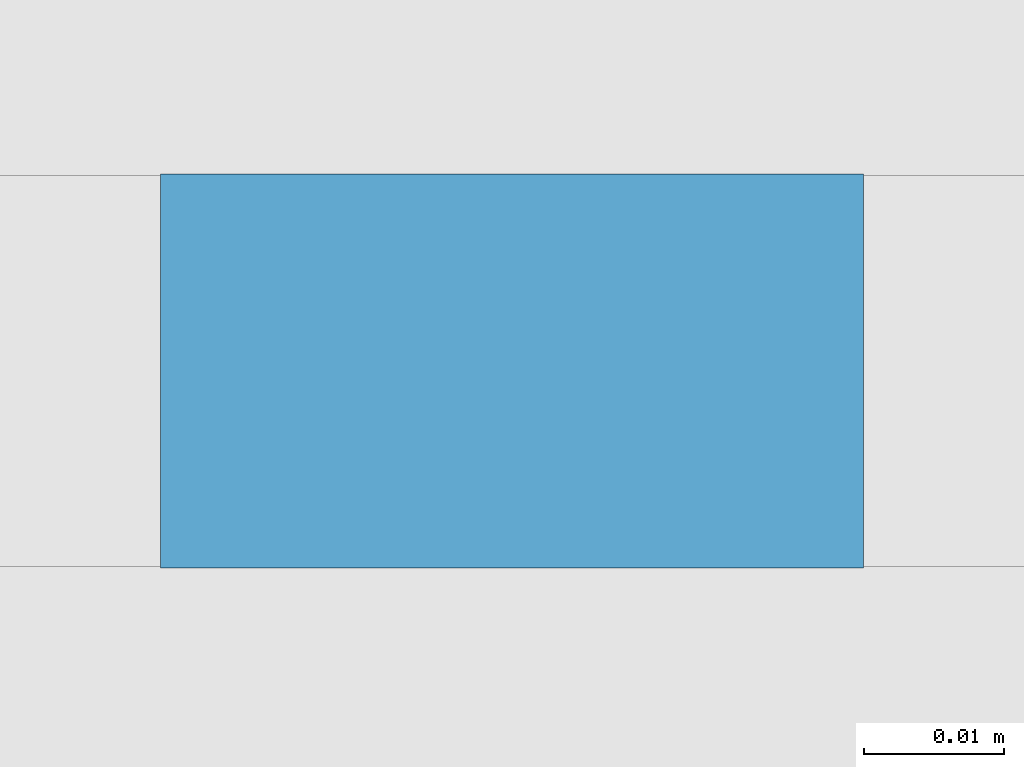
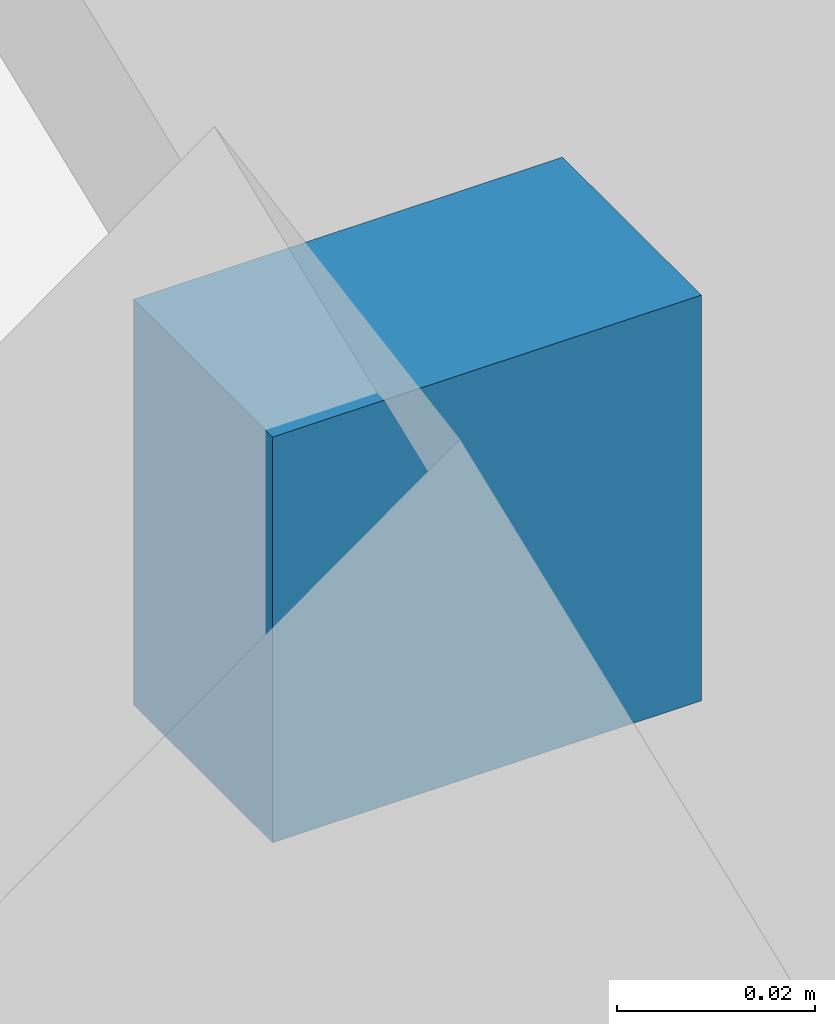
# One storey, part 15 of 18: 1 discrete accessory, 1 element without a shape of its own.
"""IFC4 building model written with IfcOpenShell, lengths in metres."""

from ifc_helpers import new_model, si_unit, direction, frame, origin, origin_2d, place, context, subcontext, project, spatial, rectangle, extrude, material, type_object, element, aggregate, save


model = new_model("IFC4")

# Units and contexts
model_context = context("Model", 3, precision=1e-05, world=origin(), true_north=direction((0.0, 1.0)))
body_context = subcontext(model_context, "Body", "Model", "MODEL_VIEW")
ifc_project = project(units=[si_unit("LENGTHUNIT", "METRE"), si_unit("AREAUNIT", "SQUARE_METRE"), si_unit("VOLUMEUNIT", "CUBIC_METRE"), si_unit("PLANEANGLEUNIT", "RADIAN"), si_unit("MASSUNIT", "GRAM", prefix="KILO")], contexts=[model_context])

# Site, building, storey
site_placement = place(None, origin())
site = spatial("IfcSite", under=ifc_project, at=site_placement, CompositionType="ELEMENT")
building_placement = place(site_placement, origin())
building = spatial("IfcBuilding", under=site, at=building_placement, Name="Tessera Arch", CompositionType="ELEMENT")
storey_placement = place(building_placement, frame((0.0, 0.0, 154.39990234375)))
storey = spatial("IfcBuildingStorey", under=building, at=storey_placement, Name="L36", CompositionType="ELEMENT", Elevation=154.39990234375)

# Curtain wall, discrete accessory
ifc_material = material(Name="CW3 curtain wall")
curtain_wall_type = type_object("IfcCurtainWallType", Name="CW3 curtain wall", PredefinedType="NOTDEFINED", material=ifc_material)
curtain_wall_placement = place(storey_placement, origin())
curtain_wall = element("IfcCurtainWall", 1, at=curtain_wall_placement, inside=storey, type_object=curtain_wall_type, Name="CW3 curtain wall S27.0/3 L36", PredefinedType="NOTDEFINED")
discrete_accessory_placement = place(storey_placement, frame((32.045166015625, 26.9560546875, 1.10888671875), z_axis=(0.0, 0.0, 1.0), x_axis=(1.0, 0.0, 0.0)))
discrete_accessory = element("IfcDiscreteAccessory", 2, at=discrete_accessory_placement, Name="Glazing bracket", PredefinedType="BRACKET", context=body_context, shape_type="SweptSolid", body=[
    extrude(rectangle(XDim=0.050048828125, YDim=0.028076171875, at=origin_2d()), origin(), (0.0, 0.0, 1.0), 0.050048828125),
])
aggregate(curtain_wall, [discrete_accessory])

save(model, "model.ifc")
